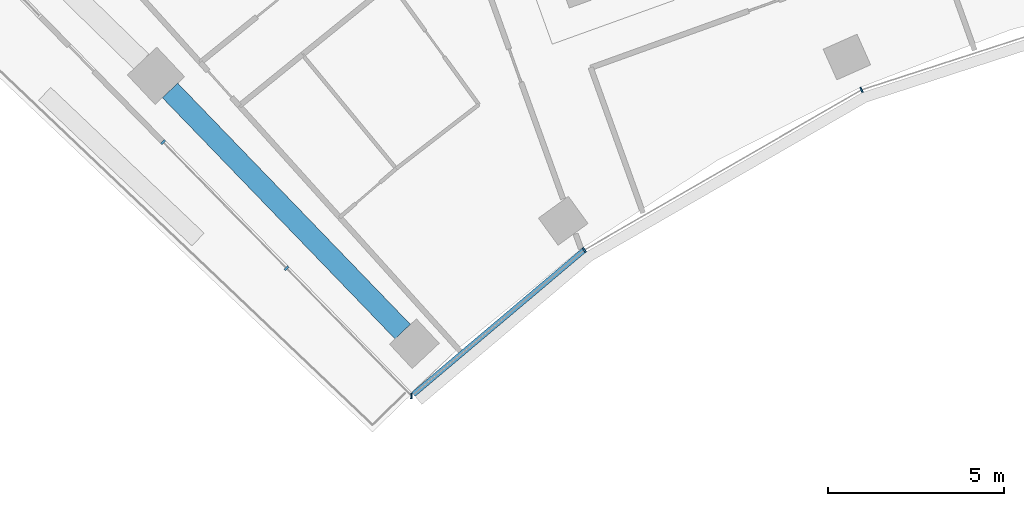
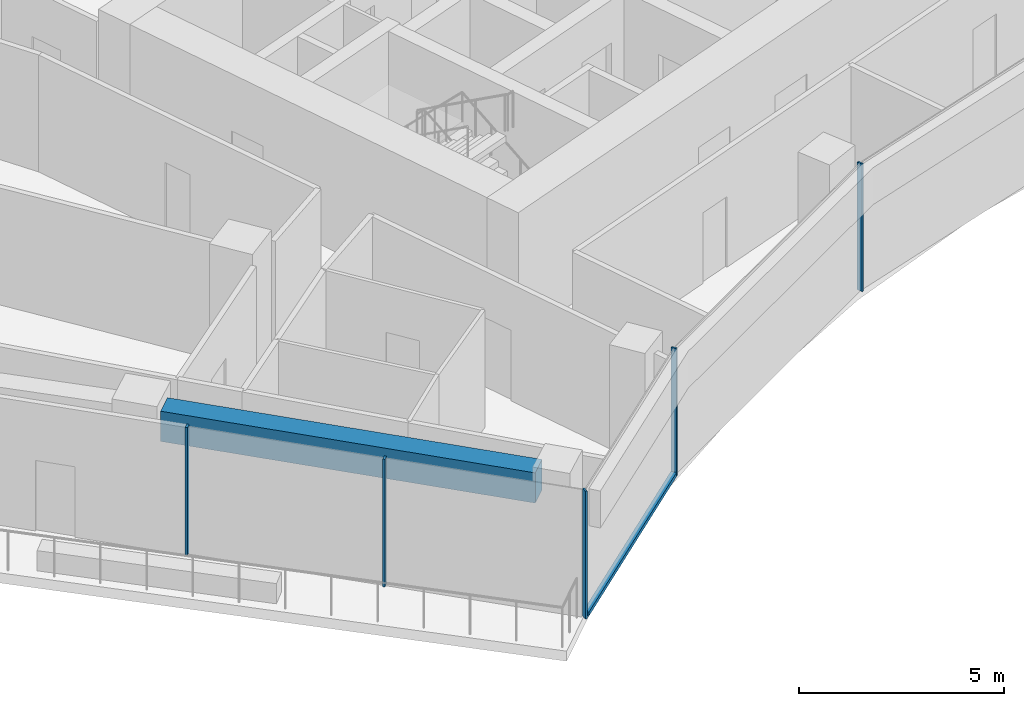
# One storey, part 2 of 20: 6 members, 1 beam, 2 elements without a shape of their own.
"""IFC4 building model written with IfcOpenShell, lengths in metres."""

from ifc_helpers import new_model, si_unit, direction, frame, origin, origin_2d, place, context, subcontext, project, spatial, rectangle, extrude, material, layer, layer_set, material_profile, profile_set, type_object, element, aggregate, save


model = new_model("IFC4")

# Units and contexts
model_context = context("Model", 3, precision=1e-05, world=origin(), true_north=direction((0.0, 1.0)))
body_context = subcontext(model_context, "Body", "Model", "MODEL_VIEW")
ifc_project = project(units=[si_unit("LENGTHUNIT", "METRE"), si_unit("AREAUNIT", "SQUARE_METRE"), si_unit("VOLUMEUNIT", "CUBIC_METRE"), si_unit("PLANEANGLEUNIT", "RADIAN"), si_unit("MASSUNIT", "GRAM", prefix="KILO")], contexts=[model_context])

# Site, building, storey
site_placement = place(None, origin())
site = spatial("IfcSite", under=ifc_project, at=site_placement, CompositionType="ELEMENT")
building_placement = place(site_placement, origin())
building = spatial("IfcBuilding", under=site, at=building_placement, Name="Stone Belt Terrace Tower", CompositionType="ELEMENT")
storey_placement = place(building_placement, frame((0.0, 0.0, 216.199951171875)))
storey = spatial("IfcBuildingStorey", under=building, at=storey_placement, Name="L52", CompositionType="ELEMENT", Elevation=216.199951171875)

# Curtain wall, members
ifc_material_1 = material(Name="Aluminium 6063-T6 anodised frame", Category="aluminium")
ifc_layer_1 = layer(ifc_material_1, 0.14990234375)
ifc_layer_set_1 = layer_set([ifc_layer_1], Name="CW-B unitised concave-face curtain wall")
curtain_wall_type_1 = type_object("IfcCurtainWallType", Name="CW-B unitised concave-face curtain wall", PredefinedType="NOTDEFINED", material=ifc_layer_set_1)
curtain_wall_1_placement = place(storey_placement, origin())
curtain_wall_1 = element("IfcCurtainWall", 1, at=curtain_wall_1_placement, inside=storey, type_object=curtain_wall_type_1, Name="CW-B concave face L52", PredefinedType="NOTDEFINED")
ifc_material_profile_1 = material_profile(ifc_material_1, rectangle(XDim=0.14990234375, YDim=0.050048828125, at=origin_2d()), Name="Aluminium 6063-T6 50x150")
ifc_profile_set_1 = profile_set([ifc_material_profile_1], Name="Aluminium 6063-T6 anodised frame")
member_type_1 = type_object("IfcMemberType", Name="CW-B mullion 50 x 150", PredefinedType="MULLION", material=ifc_profile_set_1)
member_1_placement = place(storey_placement, frame((-30.428466796875, 30.98876953125, 0.0), z_axis=(0.0, 0.0, 1.0), x_axis=(0.047391681792, 0.998876382991, 0.0)))
member_1 = element("IfcMember", 2, at=member_1_placement, type_object=member_type_1, Name="CW-B mullion 1", PredefinedType="MULLION", context=body_context, shape_type="SweptSolid", body=[
    extrude(rectangle(XDim=0.14990234375, YDim=0.050048828125, at=origin_2d()), origin(), (0.0, 0.0, 1.0), 3.800048828125),
])
member_2_placement = place(storey_placement, frame((-25.525390625, 35.130615234375, 0.0), z_axis=(0.0, 0.0, 1.0), x_axis=(-0.574927375225, 0.818204444633, 0.0)))
member_2 = element("IfcMember", 3, at=member_2_placement, type_object=member_type_1, Name="CW-B mullion 2", PredefinedType="MULLION", context=body_context, shape_type="SweptSolid", body=[
    extrude(rectangle(XDim=0.14990234375, YDim=0.050048828125, at=origin_2d()), origin(), (0.0, 0.0, 1.0), 3.800048828125),
])
member_3_placement = place(storey_placement, frame((-17.662353515625, 39.67041015625, 0.0), z_axis=(0.0, 0.0, 1.0), x_axis=(-0.406736643076, 0.913545457643, 0.0)))
member_3 = element("IfcMember", 4, at=member_3_placement, type_object=member_type_1, Name="CW-B mullion 3", PredefinedType="MULLION", context=body_context, shape_type="SweptSolid", body=[
    extrude(rectangle(XDim=0.14990234375, YDim=0.050048828125, at=origin_2d()), origin(), (0.0, 0.0, 1.0), 3.800048828125),
])
ifc_material_profile_2 = material_profile(ifc_material_1, rectangle(XDim=0.14990234375, YDim=0.1201171875, at=origin_2d()), Name="Aluminium 6063-T6 150x120")
ifc_profile_set_2 = profile_set([ifc_material_profile_2], Name="Aluminium 6063-T6 anodised frame")
member_type_2 = type_object("IfcMemberType", Name="CW-B transom 120 x 150", PredefinedType="USERDEFINED", material=ifc_profile_set_2)
member_4_placement = place(storey_placement, frame((-30.37548828125, 31.03369140625, 0.06005859375), z_axis=(0.763918143639, 0.645313156397, 0.0), x_axis=(-0.645313156397, 0.763918143639, 0.0)))
member_4 = element("IfcMember", 5, at=member_4_placement, type_object=member_type_2, Name="CW-B transom 1.1", ObjectType="TRANSOM", PredefinedType="USERDEFINED", context=body_context, shape_type="SweptSolid", body=[
    extrude(rectangle(XDim=0.14990234375, YDim=0.1201171875, at=origin_2d()), origin(), (0.0, 0.0, 1.0), 6.3173828125),
])
aggregate(curtain_wall_1, [member_1, member_2, member_3, member_4])

ifc_layer_2 = layer(ifc_material_1, 0.14990234375)
ifc_layer_set_2 = layer_set([ifc_layer_2], Name="CW-C stick curtain wall, horn ends and notches")
curtain_wall_type_2 = type_object("IfcCurtainWallType", Name="CW-C stick curtain wall, horn ends and notches", PredefinedType="NOTDEFINED", material=ifc_layer_set_2)
curtain_wall_2_placement = place(storey_placement, origin())
curtain_wall_2 = element("IfcCurtainWall", 6, at=curtain_wall_2_placement, inside=storey, type_object=curtain_wall_type_2, Name="CW-C end face L52", PredefinedType="NOTDEFINED")
ifc_material_profile_3 = material_profile(ifc_material_1, rectangle(XDim=0.14990234375, YDim=0.06005859375, at=origin_2d()), Name="Aluminium 6063-T6 60x150")
ifc_profile_set_3 = profile_set([ifc_material_profile_3], Name="Aluminium 6063-T6 anodised frame")
member_type_3 = type_object("IfcMemberType", Name="CW-C mullion 60 x 150", PredefinedType="MULLION", material=ifc_profile_set_3)
member_5_placement = place(storey_placement, frame((-37.470947265625, 38.18603515625, 0.0), z_axis=(0.0, 0.0, 1.0), x_axis=(0.714739013009, 0.699391266233, 0.0)))
member_5 = element("IfcMember", 7, at=member_5_placement, type_object=member_type_3, Name="CW-C mullion 3", PredefinedType="MULLION", context=body_context, shape_type="SweptSolid", body=[
    extrude(rectangle(XDim=0.14990234375, YDim=0.06005859375, at=origin_2d()), origin(), (0.0, 0.0, 1.0), 3.800048828125),
])
member_6_placement = place(storey_placement, frame((-33.97412109375, 34.6123046875, 0.0), z_axis=(0.0, 0.0, 1.0), x_axis=(0.714739013009, 0.699391266233, 0.0)))
member_6 = element("IfcMember", 8, at=member_6_placement, type_object=member_type_3, Name="CW-C mullion 4", PredefinedType="MULLION", context=body_context, shape_type="SweptSolid", body=[
    extrude(rectangle(XDim=0.14990234375, YDim=0.06005859375, at=origin_2d()), origin(), (0.0, 0.0, 1.0), 3.800048828125),
])
aggregate(curtain_wall_2, [member_5, member_6])

# Beam
ifc_material_2 = material(Name="Concrete B60", Category="concrete")
ifc_material_profile_4 = material_profile(ifc_material_2, rectangle(XDim=0.60009765625, YDim=0.89990234375, at=origin_2d()), Name="RC 600x900")
ifc_profile_set_4 = profile_set([ifc_material_profile_4], Name="Concrete B60")
beam_type = type_object("IfcBeamType", Name="Edge beam RC 600x900 B60", PredefinedType="SPANDREL", material=ifc_profile_set_4)
beam_placement = place(storey_placement, frame((-30.677001953125, 32.8134765625, 3.030029296875), z_axis=(-0.694305705346, 0.719680198091, 0.0), x_axis=(-0.719680198091, -0.694305705346, 0.0)))
element("IfcBeam", 9, at=beam_placement, inside=storey, type_object=beam_type, Name="Edge beam L52 A P to Q", PredefinedType="SPANDREL", context=body_context, shape_type="SweptSolid", body=[
    extrude(rectangle(XDim=0.60009765625, YDim=0.89990234375, at=origin_2d()), origin(), (0.0, 0.0, 1.0), 9.506103515625),
])

save(model, "model.ifc")
